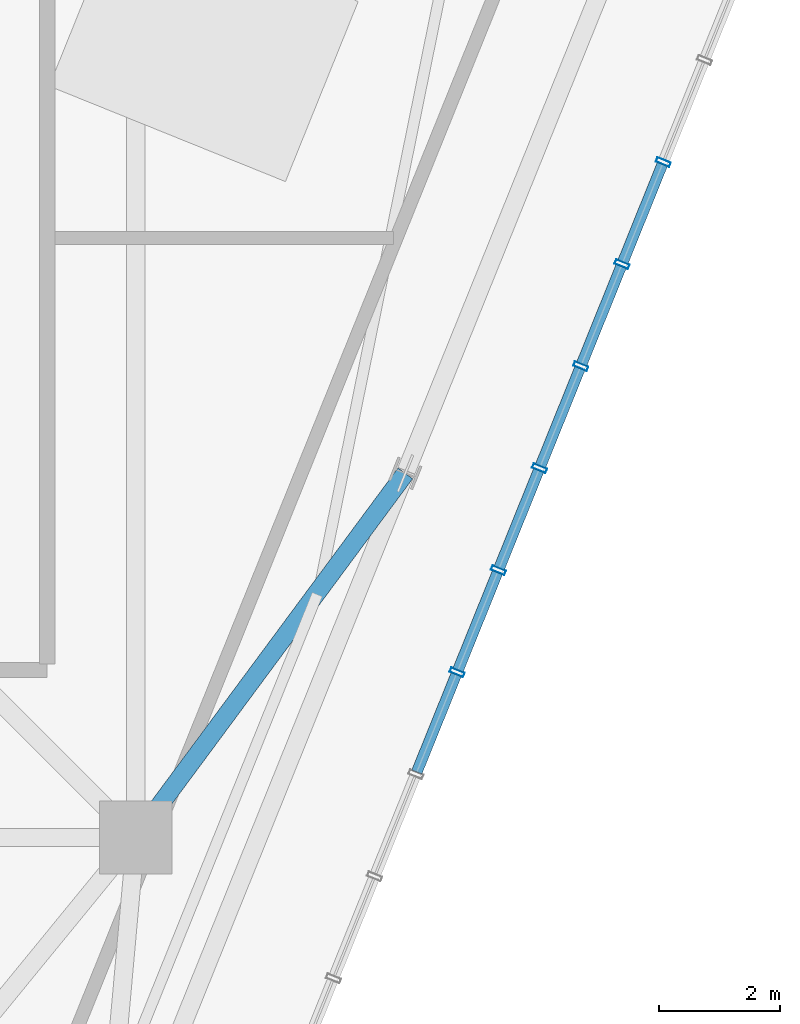
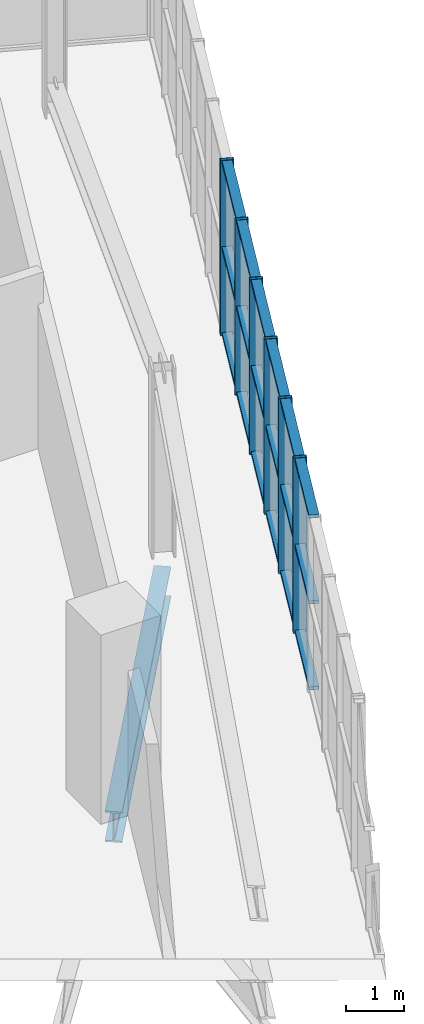
# One storey, part 9 of 26: 24 members, 1 beam, 1 element without a shape of its own.
"""IFC4 building model written with IfcOpenShell, lengths in metres."""

from ifc_helpers import new_model, si_unit, direction, frame, origin, origin_2d, place, context, subcontext, project, spatial, hollow_rectangle, i_section, extrude, source, transform, mapped, material, layer, layer_set, material_profile, profile_set, type_object, element, aggregate, save


model = new_model("IFC4")

# Units and contexts
model_context = context("Model", 3, precision=1e-05, world=origin(), true_north=direction((0.0, 1.0)))
body_context = subcontext(model_context, "Body", "Model", "MODEL_VIEW")
ifc_project = project(units=[si_unit("LENGTHUNIT", "METRE"), si_unit("AREAUNIT", "SQUARE_METRE"), si_unit("VOLUMEUNIT", "CUBIC_METRE"), si_unit("PLANEANGLEUNIT", "RADIAN"), si_unit("MASSUNIT", "GRAM", prefix="KILO"), si_unit("THERMODYNAMICTEMPERATUREUNIT", "KELVIN")], contexts=[model_context])

# Site, building, storey
site_placement = place(None, origin())
site = spatial("IfcSite", under=ifc_project, at=site_placement, CompositionType="ELEMENT")
building_placement = place(site_placement, origin())
building = spatial("IfcBuilding", under=site, at=building_placement, Name="Kosmvard Interchange Tower", CompositionType="ELEMENT")
storey_placement = place(building_placement, frame((0.0, 0.0, 329.60009765625)))
storey = spatial("IfcBuildingStorey", under=building, at=storey_placement, Name="L81", CompositionType="ELEMENT", Elevation=329.60009765625)

# Beam
ifc_material_1 = material(Name="Steel S355", Category="steel")
ifc_material_profile_1 = material_profile(ifc_material_1, i_section(OverallWidth=0.300048828125, OverallDepth=0.64990234375, WebThickness=0.01611328125, FlangeThickness=0.031005859375, FilletRadius=0.027099609375, at=origin_2d()), Name="HEB 650")
ifc_profile_set_1 = profile_set([ifc_material_profile_1], Name="Steel S355")
beam_type = type_object("IfcBeamType", Name="Primary Floor Girder HEB 650 S355", PredefinedType="BEAM", material=ifc_profile_set_1)
shared_shape_1 = source(origin(), body_context, "Body", "SweptSolid", [
    extrude(i_section(OverallWidth=0.300048828125, OverallDepth=0.64990234375, WebThickness=0.01611328125, FlangeThickness=0.031005859375, FilletRadius=0.027099609375, at=origin_2d()), origin(), (0.0, 0.0, 1.0), 7.466552734375),
])
beam_placement = place(storey_placement, frame((13.0810546875, -13.0810546875, -0.625), z_axis=(0.595007793491, 0.803719929879, 0.0), x_axis=(-0.803719929879, 0.595007793491, 0.0)))
element("IfcBeam", 1, at=beam_placement, inside=storey, type_object=beam_type, Name="BM-L81-RD02", PredefinedType="BEAM", context=body_context, shape_type="MappedRepresentation", body=[
    mapped(shared_shape_1, transform((0.0, 0.0, 0.0), scale=1.0)),
])

# Curtain wall, members
ifc_material_2 = material(Name="Architectural anodised aluminium", Category="aluminium")
ifc_layer = layer(ifc_material_2, 0.25, Name="Architectural anodised aluminium")
ifc_layer_set = layer_set([ifc_layer], Name="Architectural anodised aluminium")
curtain_wall_type = type_object("IfcCurtainWallType", Name="CW-6 Illuminated Crown Lantern Curtain Wall", PredefinedType="NOTDEFINED", material=ifc_layer_set)
curtain_wall_placement = place(storey_placement, origin())
curtain_wall = element("IfcCurtainWall", 2, at=curtain_wall_placement, inside=storey, type_object=curtain_wall_type, Name="L81 Crown Lantern Glazing Face 01", PredefinedType="NOTDEFINED")
ifc_material_profile_2 = material_profile(ifc_material_2, hollow_rectangle(XDim=0.239990234375, YDim=0.080078125, WallThickness=0.006103515625, at=origin_2d()), Name="CWM 240x80x6")
ifc_profile_set_2 = profile_set([ifc_material_profile_2], Name="Architectural anodised aluminium")
member_type_1 = type_object("IfcMemberType", Name="Lantern & Observation CW Mullion 240x80 Aluminium", PredefinedType="MULLION", material=ifc_profile_set_2)
shared_shape_2 = source(origin(), body_context, "Body", "SweptSolid", [
    extrude(hollow_rectangle(XDim=0.239990234375, YDim=0.080078125, WallThickness=0.006103515625, at=origin_2d()), origin(), (0.0, 0.0, 1.0), 3.699951171875),
])
member_1_placement = place(storey_placement, frame((18.377197265625, -10.35986328125, 0.0), z_axis=(0.0, 0.0, 1.0), x_axis=(-0.927183858065, 0.374606584758, 0.0)))
member_1 = element("IfcMember", 3, at=member_1_placement, type_object=member_type_1, Name="CW-6 mullion 8", PredefinedType="MULLION", context=body_context, shape_type="MappedRepresentation", body=[
    mapped(shared_shape_2, transform((0.0, 0.0, 0.0), scale=1.0)),
])
member_2_placement = place(storey_placement, frame((19.056884765625, -8.677734375, 0.0), z_axis=(0.0, 0.0, 1.0), x_axis=(-0.927183858065, 0.374606584758, 0.0)))
member_2 = element("IfcMember", 4, at=member_2_placement, type_object=member_type_1, Name="CW-6 mullion 9", PredefinedType="MULLION", context=body_context, shape_type="MappedRepresentation", body=[
    mapped(shared_shape_2, transform((0.0, 0.0, 0.0), scale=1.0)),
])
member_3_placement = place(storey_placement, frame((19.736572265625, -6.995849609375, 0.0), z_axis=(0.0, 0.0, 1.0), x_axis=(-0.927183858065, 0.374606584758, 0.0)))
member_3 = element("IfcMember", 5, at=member_3_placement, type_object=member_type_1, Name="CW-6 mullion 10", PredefinedType="MULLION", context=body_context, shape_type="MappedRepresentation", body=[
    mapped(shared_shape_2, transform((0.0, 0.0, 0.0), scale=1.0)),
])
member_4_placement = place(storey_placement, frame((20.416015625, -5.313720703125, 0.0), z_axis=(0.0, 0.0, 1.0), x_axis=(-0.927183858065, 0.374606584758, 0.0)))
member_4 = element("IfcMember", 6, at=member_4_placement, type_object=member_type_1, Name="CW-6 mullion 11", PredefinedType="MULLION", context=body_context, shape_type="MappedRepresentation", body=[
    mapped(shared_shape_2, transform((0.0, 0.0, 0.0), scale=1.0)),
])
member_5_placement = place(storey_placement, frame((21.095703125, -3.6318359375, 0.0), z_axis=(0.0, 0.0, 1.0), x_axis=(-0.927183858065, 0.374606584758, 0.0)))
member_5 = element("IfcMember", 7, at=member_5_placement, type_object=member_type_1, Name="CW-6 mullion 12", PredefinedType="MULLION", context=body_context, shape_type="MappedRepresentation", body=[
    mapped(shared_shape_2, transform((0.0, 0.0, 0.0), scale=1.0)),
])
member_6_placement = place(storey_placement, frame((21.775146484375, -1.94970703125, 0.0), z_axis=(0.0, 0.0, 1.0), x_axis=(-0.927183858065, 0.374606584758, 0.0)))
member_6 = element("IfcMember", 8, at=member_6_placement, type_object=member_type_1, Name="CW-6 mullion 13", PredefinedType="MULLION", context=body_context, shape_type="MappedRepresentation", body=[
    mapped(shared_shape_2, transform((0.0, 0.0, 0.0), scale=1.0)),
])
ifc_material_profile_3 = material_profile(ifc_material_2, hollow_rectangle(XDim=0.179931640625, YDim=0.070068359375, WallThickness=0.0048828125, at=origin_2d()), Name="CWT 180x70x5")
ifc_profile_set_3 = profile_set([ifc_material_profile_3], Name="Architectural anodised aluminium")
member_type_2 = type_object("IfcMemberType", Name="Heavy Lantern CW Transom 180x70 Aluminium", PredefinedType="USERDEFINED", material=ifc_profile_set_3)
shared_shape_3 = source(origin(), body_context, "Body", "SweptSolid", [
    extrude(hollow_rectangle(XDim=0.179931640625, YDim=0.070068359375, WallThickness=0.0048828125, at=origin_2d()), origin(), (0.0, 0.0, 1.0), 1.734130859375),
])
member_7_placement = place(storey_placement, frame((18.392333984375, -10.32275390625, 0.034912109375), z_axis=(0.374616671924, 0.927179782522, 0.0), x_axis=(-0.927179782522, 0.374616671924, 0.0)))
member_7 = element("IfcMember", 9, at=member_7_placement, type_object=member_type_2, Name="CW-6 transom 8.1", ObjectType="TRANSOM", PredefinedType="USERDEFINED", context=body_context, shape_type="MappedRepresentation", body=[
    mapped(shared_shape_3, transform((0.0, 0.0, 0.0), scale=1.0)),
])
member_8_placement = place(storey_placement, frame((18.392333984375, -10.32275390625, 1.849853515625), z_axis=(0.374616671924, 0.927179782522, 0.0), x_axis=(-0.927179782522, 0.374616671924, 0.0)))
member_8 = element("IfcMember", 10, at=member_8_placement, type_object=member_type_2, Name="CW-6 transom 8.2", ObjectType="TRANSOM", PredefinedType="USERDEFINED", context=body_context, shape_type="MappedRepresentation", body=[
    mapped(shared_shape_3, transform((0.0, 0.0, 0.0), scale=1.0)),
])
member_9_placement = place(storey_placement, frame((18.392333984375, -10.32275390625, 3.664794921875), z_axis=(0.374616671924, 0.927179782522, 0.0), x_axis=(-0.927179782522, 0.374616671924, 0.0)))
member_9 = element("IfcMember", 11, at=member_9_placement, type_object=member_type_2, Name="CW-6 transom 8.3", ObjectType="TRANSOM", PredefinedType="USERDEFINED", context=body_context, shape_type="MappedRepresentation", body=[
    mapped(shared_shape_3, transform((0.0, 0.0, 0.0), scale=1.0)),
])
member_10_placement = place(storey_placement, frame((19.75146484375, -6.958740234375, 0.034912109375), z_axis=(0.374616671924, 0.927179782522, 0.0), x_axis=(-0.927179782522, 0.374616671924, 0.0)))
member_10 = element("IfcMember", 12, at=member_10_placement, type_object=member_type_2, Name="CW-6 transom 10.1", ObjectType="TRANSOM", PredefinedType="USERDEFINED", context=body_context, shape_type="MappedRepresentation", body=[
    mapped(shared_shape_3, transform((0.0, 0.0, 0.0), scale=1.0)),
])
member_11_placement = place(storey_placement, frame((19.75146484375, -6.958740234375, 1.849853515625), z_axis=(0.374616671924, 0.927179782522, 0.0), x_axis=(-0.927179782522, 0.374616671924, 0.0)))
member_11 = element("IfcMember", 13, at=member_11_placement, type_object=member_type_2, Name="CW-6 transom 10.2", ObjectType="TRANSOM", PredefinedType="USERDEFINED", context=body_context, shape_type="MappedRepresentation", body=[
    mapped(shared_shape_3, transform((0.0, 0.0, 0.0), scale=1.0)),
])
member_12_placement = place(storey_placement, frame((19.75146484375, -6.958740234375, 3.664794921875), z_axis=(0.374616671924, 0.927179782522, 0.0), x_axis=(-0.927179782522, 0.374616671924, 0.0)))
member_12 = element("IfcMember", 14, at=member_12_placement, type_object=member_type_2, Name="CW-6 transom 10.3", ObjectType="TRANSOM", PredefinedType="USERDEFINED", context=body_context, shape_type="MappedRepresentation", body=[
    mapped(shared_shape_3, transform((0.0, 0.0, 0.0), scale=1.0)),
])
member_13_placement = place(storey_placement, frame((20.43115234375, -5.276611328125, 0.034912109375), z_axis=(0.374495638732, 0.927228675447, 0.0), x_axis=(-0.927228675447, 0.374495638732, 0.0)))
member_13 = element("IfcMember", 15, at=member_13_placement, type_object=member_type_2, Name="CW-6 transom 11.1", ObjectType="TRANSOM", PredefinedType="USERDEFINED", context=body_context, shape_type="MappedRepresentation", body=[
    mapped(shared_shape_3, transform((0.0, 0.0, 0.0), scale=1.0)),
])
member_14_placement = place(storey_placement, frame((20.43115234375, -5.276611328125, 1.849853515625), z_axis=(0.374495638732, 0.927228675447, 0.0), x_axis=(-0.927228675447, 0.374495638732, 0.0)))
member_14 = element("IfcMember", 16, at=member_14_placement, type_object=member_type_2, Name="CW-6 transom 11.2", ObjectType="TRANSOM", PredefinedType="USERDEFINED", context=body_context, shape_type="MappedRepresentation", body=[
    mapped(shared_shape_3, transform((0.0, 0.0, 0.0), scale=1.0)),
])
member_15_placement = place(storey_placement, frame((20.43115234375, -5.276611328125, 3.664794921875), z_axis=(0.374495638732, 0.927228675447, 0.0), x_axis=(-0.927228675447, 0.374495638732, 0.0)))
member_15 = element("IfcMember", 17, at=member_15_placement, type_object=member_type_2, Name="CW-6 transom 11.3", ObjectType="TRANSOM", PredefinedType="USERDEFINED", context=body_context, shape_type="MappedRepresentation", body=[
    mapped(shared_shape_3, transform((0.0, 0.0, 0.0), scale=1.0)),
])
member_16_placement = place(storey_placement, frame((21.110595703125, -3.5947265625, 0.034912109375), z_axis=(0.374616671924, 0.927179782522, 0.0), x_axis=(-0.927179782522, 0.374616671924, 0.0)))
member_16 = element("IfcMember", 18, at=member_16_placement, type_object=member_type_2, Name="CW-6 transom 12.1", ObjectType="TRANSOM", PredefinedType="USERDEFINED", context=body_context, shape_type="MappedRepresentation", body=[
    mapped(shared_shape_3, transform((0.0, 0.0, 0.0), scale=1.0)),
])
member_17_placement = place(storey_placement, frame((21.110595703125, -3.5947265625, 1.849853515625), z_axis=(0.374616671924, 0.927179782522, 0.0), x_axis=(-0.927179782522, 0.374616671924, 0.0)))
member_17 = element("IfcMember", 19, at=member_17_placement, type_object=member_type_2, Name="CW-6 transom 12.2", ObjectType="TRANSOM", PredefinedType="USERDEFINED", context=body_context, shape_type="MappedRepresentation", body=[
    mapped(shared_shape_3, transform((0.0, 0.0, 0.0), scale=1.0)),
])
member_18_placement = place(storey_placement, frame((21.110595703125, -3.5947265625, 3.664794921875), z_axis=(0.374616671924, 0.927179782522, 0.0), x_axis=(-0.927179782522, 0.374616671924, 0.0)))
member_18 = element("IfcMember", 20, at=member_18_placement, type_object=member_type_2, Name="CW-6 transom 12.3", ObjectType="TRANSOM", PredefinedType="USERDEFINED", context=body_context, shape_type="MappedRepresentation", body=[
    mapped(shared_shape_3, transform((0.0, 0.0, 0.0), scale=1.0)),
])
shared_shape_4 = source(origin(), body_context, "Body", "SweptSolid", [
    extrude(hollow_rectangle(XDim=0.179931640625, YDim=0.070068359375, WallThickness=0.0048828125, at=origin_2d()), origin(), (0.0, 0.0, 1.0), 1.73388671875),
])
member_19_placement = place(storey_placement, frame((17.712646484375, -12.004638671875, 0.034912109375), z_axis=(0.374665576032, 0.927160021861, 0.0), x_axis=(-0.927160021861, 0.374665576032, 0.0)))
member_19 = element("IfcMember", 21, at=member_19_placement, type_object=member_type_2, Name="CW-6 transom 7.1", ObjectType="TRANSOM", PredefinedType="USERDEFINED", context=body_context, shape_type="MappedRepresentation", body=[
    mapped(shared_shape_4, transform((0.0, 0.0, 0.0), scale=1.0)),
])
member_20_placement = place(storey_placement, frame((17.712646484375, -12.004638671875, 1.849853515625), z_axis=(0.374665576032, 0.927160021861, 0.0), x_axis=(-0.927160021861, 0.374665576032, 0.0)))
member_20 = element("IfcMember", 22, at=member_20_placement, type_object=member_type_2, Name="CW-6 transom 7.2", ObjectType="TRANSOM", PredefinedType="USERDEFINED", context=body_context, shape_type="MappedRepresentation", body=[
    mapped(shared_shape_4, transform((0.0, 0.0, 0.0), scale=1.0)),
])
member_21_placement = place(storey_placement, frame((17.712646484375, -12.004638671875, 3.664794921875), z_axis=(0.374665576032, 0.927160021861, 0.0), x_axis=(-0.927160021861, 0.374665576032, 0.0)))
member_21 = element("IfcMember", 23, at=member_21_placement, type_object=member_type_2, Name="CW-6 transom 7.3", ObjectType="TRANSOM", PredefinedType="USERDEFINED", context=body_context, shape_type="MappedRepresentation", body=[
    mapped(shared_shape_4, transform((0.0, 0.0, 0.0), scale=1.0)),
])
member_22_placement = place(storey_placement, frame((19.07177734375, -8.640625, 0.034912109375), z_axis=(0.374665576032, 0.927160021861, 0.0), x_axis=(-0.927160021861, 0.374665576032, 0.0)))
member_22 = element("IfcMember", 24, at=member_22_placement, type_object=member_type_2, Name="CW-6 transom 9.1", ObjectType="TRANSOM", PredefinedType="USERDEFINED", context=body_context, shape_type="MappedRepresentation", body=[
    mapped(shared_shape_4, transform((0.0, 0.0, 0.0), scale=1.0)),
])
member_23_placement = place(storey_placement, frame((19.07177734375, -8.640625, 1.849853515625), z_axis=(0.374665576032, 0.927160021861, 0.0), x_axis=(-0.927160021861, 0.374665576032, 0.0)))
member_23 = element("IfcMember", 25, at=member_23_placement, type_object=member_type_2, Name="CW-6 transom 9.2", ObjectType="TRANSOM", PredefinedType="USERDEFINED", context=body_context, shape_type="MappedRepresentation", body=[
    mapped(shared_shape_4, transform((0.0, 0.0, 0.0), scale=1.0)),
])
member_24_placement = place(storey_placement, frame((19.07177734375, -8.640625, 3.664794921875), z_axis=(0.374665576032, 0.927160021861, 0.0), x_axis=(-0.927160021861, 0.374665576032, 0.0)))
member_24 = element("IfcMember", 26, at=member_24_placement, type_object=member_type_2, Name="CW-6 transom 9.3", ObjectType="TRANSOM", PredefinedType="USERDEFINED", context=body_context, shape_type="MappedRepresentation", body=[
    mapped(shared_shape_4, transform((0.0, 0.0, 0.0), scale=1.0)),
])
aggregate(curtain_wall, [member_1, member_2, member_3, member_4, member_5, member_6, member_19, member_20, member_21, member_7, member_8, member_9, member_22, member_23, member_24, member_10, member_11, member_12, member_13, member_14, member_15, member_16, member_17, member_18])

save(model, "model.ifc")
